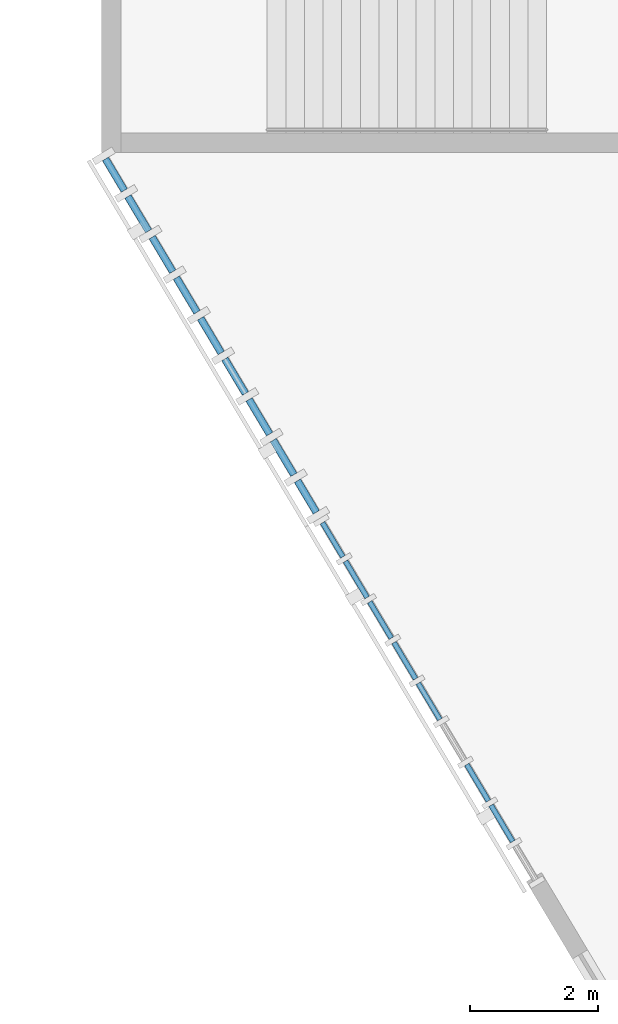
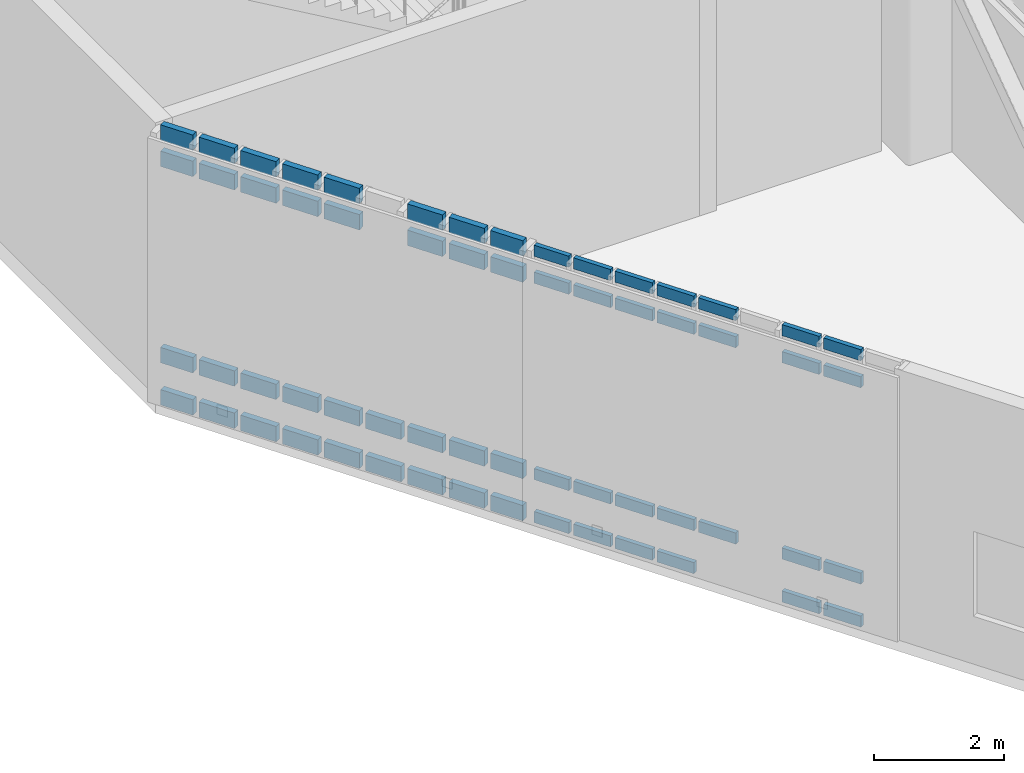
# One storey, part 49 of 135: 61 members, 2 elements without a shape of their own.
"""IFC4 building model written with IfcOpenShell, lengths in metres."""

from ifc_helpers import new_model, si_unit, direction, frame, origin, origin_2d, place, context, subcontext, project, spatial, rectangle, extrude, material, material_profile, profile_set, type_object, element, aggregate, save


model = new_model("IFC4")

# Units and contexts
model_context = context("Model", 3, precision=1e-05, world=origin(), true_north=direction((0.0, 1.0)))
body_context = subcontext(model_context, "Body", "Model", "MODEL_VIEW")
ifc_project = project(units=[si_unit("LENGTHUNIT", "METRE"), si_unit("AREAUNIT", "SQUARE_METRE"), si_unit("VOLUMEUNIT", "CUBIC_METRE"), si_unit("PLANEANGLEUNIT", "RADIAN"), si_unit("MASSUNIT", "GRAM", prefix="KILO")], contexts=[model_context])

# Site, building, storey
site_placement = place(None, origin())
site = spatial("IfcSite", under=ifc_project, at=site_placement, CompositionType="ELEMENT")
building_placement = place(site_placement, origin())
building = spatial("IfcBuilding", under=site, at=building_placement, Name="Larkvane Passage Sports Hall", CompositionType="ELEMENT")
storey_placement = place(building_placement, frame((0.0, 0.0, 16.800048828125)))
storey = spatial("IfcBuildingStorey", under=building, at=storey_placement, Name="L03", CompositionType="ELEMENT", Elevation=16.800048828125)

# Curtain wall, members
ifc_material_1 = material(Name="Thermally broken aluminium and low-E glazing", Category="aluminium")
curtain_wall_type_1 = type_object("IfcCurtainWallType", Name="CW-CLINIC", PredefinedType="USERDEFINED", material=ifc_material_1)
curtain_wall_1_placement = place(storey_placement, origin())
curtain_wall_1 = element("IfcCurtainWall", 1, at=curtain_wall_1_placement, inside=storey, type_object=curtain_wall_type_1, Name="Curtain wall CW5-L03-119", ObjectType="UNITISED CURTAIN WALL", PredefinedType="USERDEFINED")
ifc_material_2 = material(Name="Anodised aluminium 6063-T6", Category="aluminium")
ifc_material_profile_1 = material_profile(ifc_material_2, rectangle(XDim=0.110107421875, YDim=0.2900390625, at=origin_2d()), Name="ALU-TRN-110x290")
ifc_profile_set_1 = profile_set([ifc_material_profile_1], Name="Anodised aluminium 6063-T6")
member_type_1 = type_object("IfcMemberType", Name="CW-TRN-110x290", PredefinedType="USERDEFINED", material=ifc_profile_set_1)
member_1_placement = place(storey_placement, frame((121.34375, 17.194580078125, 0.054931640625), z_axis=(-0.512482926834, 0.85869741452, 0.0), x_axis=(-0.85869741452, -0.512482926834, 0.0)))
member_1 = element("IfcMember", 2, at=member_1_placement, type_object=member_type_1, Name="CW-05 transom 1.1", ObjectType="TRANSOM", PredefinedType="USERDEFINED", context=body_context, shape_type="SweptSolid", body=[
    extrude(rectangle(XDim=0.110107421875, YDim=0.2900390625, at=origin_2d()), origin(), (0.0, 0.0, 1.0), 0.5712890625),
])
member_2_placement = place(storey_placement, frame((121.34375, 17.194580078125, 0.849853515625), z_axis=(-0.512482926834, 0.85869741452, 0.0), x_axis=(-0.85869741452, -0.512482926834, 0.0)))
member_2 = element("IfcMember", 3, at=member_2_placement, type_object=member_type_1, Name="CW-05 transom 1.2", ObjectType="TRANSOM", PredefinedType="USERDEFINED", context=body_context, shape_type="SweptSolid", body=[
    extrude(rectangle(XDim=0.110107421875, YDim=0.2900390625, at=origin_2d()), origin(), (0.0, 0.0, 1.0), 0.5712890625),
])
member_3_placement = place(storey_placement, frame((121.34375, 17.194580078125, 4.550048828125), z_axis=(-0.512482926834, 0.85869741452, 0.0), x_axis=(-0.85869741452, -0.512482926834, 0.0)))
member_3 = element("IfcMember", 4, at=member_3_placement, type_object=member_type_1, Name="CW-05 transom 1.3", ObjectType="TRANSOM", PredefinedType="USERDEFINED", context=body_context, shape_type="SweptSolid", body=[
    extrude(rectangle(XDim=0.110107421875, YDim=0.2900390625, at=origin_2d()), origin(), (0.0, 0.0, 1.0), 0.5712890625),
])
member_4_placement = place(storey_placement, frame((121.34375, 17.194580078125, 5.044921875), z_axis=(-0.512482926834, 0.85869741452, 0.0), x_axis=(-0.85869741452, -0.512482926834, 0.0)))
member_4 = element("IfcMember", 5, at=member_4_placement, type_object=member_type_1, Name="CW-05 transom 1.4", ObjectType="TRANSOM", PredefinedType="USERDEFINED", context=body_context, shape_type="SweptSolid", body=[
    extrude(rectangle(XDim=0.110107421875, YDim=0.2900390625, at=origin_2d()), origin(), (0.0, 0.0, 1.0), 0.5712890625),
])
member_5_placement = place(storey_placement, frame((120.99462890625, 17.779541015625, 0.054931640625), z_axis=(-0.512142019069, 0.858900781409, 0.0), x_axis=(-0.858900781409, -0.512142019069, 0.0)))
member_5 = element("IfcMember", 6, at=member_5_placement, type_object=member_type_1, Name="CW-05 transom 2.1", ObjectType="TRANSOM", PredefinedType="USERDEFINED", context=body_context, shape_type="SweptSolid", body=[
    extrude(rectangle(XDim=0.110107421875, YDim=0.2900390625, at=origin_2d()), origin(), (0.0, 0.0, 1.0), 0.6259765625),
])
member_6_placement = place(storey_placement, frame((120.99462890625, 17.779541015625, 0.849853515625), z_axis=(-0.512142019069, 0.858900781409, 0.0), x_axis=(-0.858900781409, -0.512142019069, 0.0)))
member_6 = element("IfcMember", 7, at=member_6_placement, type_object=member_type_1, Name="CW-05 transom 2.2", ObjectType="TRANSOM", PredefinedType="USERDEFINED", context=body_context, shape_type="SweptSolid", body=[
    extrude(rectangle(XDim=0.110107421875, YDim=0.2900390625, at=origin_2d()), origin(), (0.0, 0.0, 1.0), 0.6259765625),
])
member_7_placement = place(storey_placement, frame((120.99462890625, 17.779541015625, 4.550048828125), z_axis=(-0.512142019069, 0.858900781409, 0.0), x_axis=(-0.858900781409, -0.512142019069, 0.0)))
member_7 = element("IfcMember", 8, at=member_7_placement, type_object=member_type_1, Name="CW-05 transom 2.3", ObjectType="TRANSOM", PredefinedType="USERDEFINED", context=body_context, shape_type="SweptSolid", body=[
    extrude(rectangle(XDim=0.110107421875, YDim=0.2900390625, at=origin_2d()), origin(), (0.0, 0.0, 1.0), 0.6259765625),
])
member_8_placement = place(storey_placement, frame((120.99462890625, 17.779541015625, 5.044921875), z_axis=(-0.512142019069, 0.858900781409, 0.0), x_axis=(-0.858900781409, -0.512142019069, 0.0)))
member_8 = element("IfcMember", 9, at=member_8_placement, type_object=member_type_1, Name="CW-05 transom 2.4", ObjectType="TRANSOM", PredefinedType="USERDEFINED", context=body_context, shape_type="SweptSolid", body=[
    extrude(rectangle(XDim=0.110107421875, YDim=0.2900390625, at=origin_2d()), origin(), (0.0, 0.0, 1.0), 0.6259765625),
])
member_9_placement = place(storey_placement, frame((120.61767578125, 18.41162109375, 0.054931640625), z_axis=(-0.512258122867, 0.858831540849, 0.0), x_axis=(-0.858831540849, -0.512258122867, 0.0)))
member_9 = element("IfcMember", 10, at=member_9_placement, type_object=member_type_1, Name="CW-05 transom 3.1", ObjectType="TRANSOM", PredefinedType="USERDEFINED", context=body_context, shape_type="SweptSolid", body=[
    extrude(rectangle(XDim=0.110107421875, YDim=0.2900390625, at=origin_2d()), origin(), (0.0, 0.0, 1.0), 0.626220703125),
])
member_10_placement = place(storey_placement, frame((120.61767578125, 18.41162109375, 0.849853515625), z_axis=(-0.512258122867, 0.858831540849, 0.0), x_axis=(-0.858831540849, -0.512258122867, 0.0)))
member_10 = element("IfcMember", 11, at=member_10_placement, type_object=member_type_1, Name="CW-05 transom 3.2", ObjectType="TRANSOM", PredefinedType="USERDEFINED", context=body_context, shape_type="SweptSolid", body=[
    extrude(rectangle(XDim=0.110107421875, YDim=0.2900390625, at=origin_2d()), origin(), (0.0, 0.0, 1.0), 0.626220703125),
])
member_11_placement = place(storey_placement, frame((120.61767578125, 18.41162109375, 4.550048828125), z_axis=(-0.512258122867, 0.858831540849, 0.0), x_axis=(-0.858831540849, -0.512258122867, 0.0)))
member_11 = element("IfcMember", 12, at=member_11_placement, type_object=member_type_1, Name="CW-05 transom 3.3", ObjectType="TRANSOM", PredefinedType="USERDEFINED", context=body_context, shape_type="SweptSolid", body=[
    extrude(rectangle(XDim=0.110107421875, YDim=0.2900390625, at=origin_2d()), origin(), (0.0, 0.0, 1.0), 0.626220703125),
])
member_12_placement = place(storey_placement, frame((120.61767578125, 18.41162109375, 5.044921875), z_axis=(-0.512258122867, 0.858831540849, 0.0), x_axis=(-0.858831540849, -0.512258122867, 0.0)))
member_12 = element("IfcMember", 13, at=member_12_placement, type_object=member_type_1, Name="CW-05 transom 3.4", ObjectType="TRANSOM", PredefinedType="USERDEFINED", context=body_context, shape_type="SweptSolid", body=[
    extrude(rectangle(XDim=0.110107421875, YDim=0.2900390625, at=origin_2d()), origin(), (0.0, 0.0, 1.0), 0.626220703125),
])
member_13_placement = place(storey_placement, frame((120.240478515625, 19.0439453125, 0.054931640625), z_axis=(-0.512429680433, 0.858729190497, 0.0), x_axis=(-0.858729190497, -0.512429680433, 0.0)))
member_13 = element("IfcMember", 14, at=member_13_placement, type_object=member_type_1, Name="CW-05 transom 4.1", ObjectType="TRANSOM", PredefinedType="USERDEFINED", context=body_context, shape_type="SweptSolid", body=[
    extrude(rectangle(XDim=0.110107421875, YDim=0.2900390625, at=origin_2d()), origin(), (0.0, 0.0, 1.0), 0.6259765625),
])
member_14_placement = place(storey_placement, frame((120.240478515625, 19.0439453125, 0.849853515625), z_axis=(-0.512429680433, 0.858729190497, 0.0), x_axis=(-0.858729190497, -0.512429680433, 0.0)))
member_14 = element("IfcMember", 15, at=member_14_placement, type_object=member_type_1, Name="CW-05 transom 4.2", ObjectType="TRANSOM", PredefinedType="USERDEFINED", context=body_context, shape_type="SweptSolid", body=[
    extrude(rectangle(XDim=0.110107421875, YDim=0.2900390625, at=origin_2d()), origin(), (0.0, 0.0, 1.0), 0.6259765625),
])
member_15_placement = place(storey_placement, frame((119.86328125, 19.676025390625, 0.054931640625), z_axis=(-0.511970489315, 0.859003037289, 0.0), x_axis=(-0.859003037289, -0.511970489315, 0.0)))
member_15 = element("IfcMember", 16, at=member_15_placement, type_object=member_type_1, Name="CW-05 transom 5.1", ObjectType="TRANSOM", PredefinedType="USERDEFINED", context=body_context, shape_type="SweptSolid", body=[
    extrude(rectangle(XDim=0.110107421875, YDim=0.2900390625, at=origin_2d()), origin(), (0.0, 0.0, 1.0), 0.626220703125),
])
member_16_placement = place(storey_placement, frame((119.86328125, 19.676025390625, 0.849853515625), z_axis=(-0.511970489315, 0.859003037289, 0.0), x_axis=(-0.859003037289, -0.511970489315, 0.0)))
member_16 = element("IfcMember", 17, at=member_16_placement, type_object=member_type_1, Name="CW-05 transom 5.2", ObjectType="TRANSOM", PredefinedType="USERDEFINED", context=body_context, shape_type="SweptSolid", body=[
    extrude(rectangle(XDim=0.110107421875, YDim=0.2900390625, at=origin_2d()), origin(), (0.0, 0.0, 1.0), 0.626220703125),
])
member_17_placement = place(storey_placement, frame((119.86328125, 19.676025390625, 4.550048828125), z_axis=(-0.511970489315, 0.859003037289, 0.0), x_axis=(-0.859003037289, -0.511970489315, 0.0)))
member_17 = element("IfcMember", 18, at=member_17_placement, type_object=member_type_1, Name="CW-05 transom 5.3", ObjectType="TRANSOM", PredefinedType="USERDEFINED", context=body_context, shape_type="SweptSolid", body=[
    extrude(rectangle(XDim=0.110107421875, YDim=0.2900390625, at=origin_2d()), origin(), (0.0, 0.0, 1.0), 0.626220703125),
])
member_18_placement = place(storey_placement, frame((119.86328125, 19.676025390625, 5.044921875), z_axis=(-0.511970489315, 0.859003037289, 0.0), x_axis=(-0.859003037289, -0.511970489315, 0.0)))
member_18 = element("IfcMember", 19, at=member_18_placement, type_object=member_type_1, Name="CW-05 transom 5.4", ObjectType="TRANSOM", PredefinedType="USERDEFINED", context=body_context, shape_type="SweptSolid", body=[
    extrude(rectangle(XDim=0.110107421875, YDim=0.2900390625, at=origin_2d()), origin(), (0.0, 0.0, 1.0), 0.626220703125),
])
member_19_placement = place(storey_placement, frame((119.486328125, 20.308349609375, 0.054931640625), z_axis=(-0.512258122867, 0.858831540849, 0.0), x_axis=(-0.858831540849, -0.512258122867, 0.0)))
member_19 = element("IfcMember", 20, at=member_19_placement, type_object=member_type_1, Name="CW-05 transom 6.1", ObjectType="TRANSOM", PredefinedType="USERDEFINED", context=body_context, shape_type="SweptSolid", body=[
    extrude(rectangle(XDim=0.110107421875, YDim=0.2900390625, at=origin_2d()), origin(), (0.0, 0.0, 1.0), 0.626220703125),
])
member_20_placement = place(storey_placement, frame((119.486328125, 20.308349609375, 0.849853515625), z_axis=(-0.512258122867, 0.858831540849, 0.0), x_axis=(-0.858831540849, -0.512258122867, 0.0)))
member_20 = element("IfcMember", 21, at=member_20_placement, type_object=member_type_1, Name="CW-05 transom 6.2", ObjectType="TRANSOM", PredefinedType="USERDEFINED", context=body_context, shape_type="SweptSolid", body=[
    extrude(rectangle(XDim=0.110107421875, YDim=0.2900390625, at=origin_2d()), origin(), (0.0, 0.0, 1.0), 0.626220703125),
])
member_21_placement = place(storey_placement, frame((119.486328125, 20.308349609375, 4.550048828125), z_axis=(-0.512258122867, 0.858831540849, 0.0), x_axis=(-0.858831540849, -0.512258122867, 0.0)))
member_21 = element("IfcMember", 22, at=member_21_placement, type_object=member_type_1, Name="CW-05 transom 6.3", ObjectType="TRANSOM", PredefinedType="USERDEFINED", context=body_context, shape_type="SweptSolid", body=[
    extrude(rectangle(XDim=0.110107421875, YDim=0.2900390625, at=origin_2d()), origin(), (0.0, 0.0, 1.0), 0.626220703125),
])
member_22_placement = place(storey_placement, frame((119.486328125, 20.308349609375, 5.044921875), z_axis=(-0.512258122867, 0.858831540849, 0.0), x_axis=(-0.858831540849, -0.512258122867, 0.0)))
member_22 = element("IfcMember", 23, at=member_22_placement, type_object=member_type_1, Name="CW-05 transom 6.4", ObjectType="TRANSOM", PredefinedType="USERDEFINED", context=body_context, shape_type="SweptSolid", body=[
    extrude(rectangle(XDim=0.110107421875, YDim=0.2900390625, at=origin_2d()), origin(), (0.0, 0.0, 1.0), 0.626220703125),
])
member_23_placement = place(storey_placement, frame((119.109130859375, 20.940673828125, 0.054931640625), z_axis=(-0.512429680433, 0.858729190497, 0.0), x_axis=(-0.858729190497, -0.512429680433, 0.0)))
member_23 = element("IfcMember", 24, at=member_23_placement, type_object=member_type_1, Name="CW-05 transom 7.1", ObjectType="TRANSOM", PredefinedType="USERDEFINED", context=body_context, shape_type="SweptSolid", body=[
    extrude(rectangle(XDim=0.110107421875, YDim=0.2900390625, at=origin_2d()), origin(), (0.0, 0.0, 1.0), 0.6259765625),
])
member_24_placement = place(storey_placement, frame((119.109130859375, 20.940673828125, 0.849853515625), z_axis=(-0.512429680433, 0.858729190497, 0.0), x_axis=(-0.858729190497, -0.512429680433, 0.0)))
member_24 = element("IfcMember", 25, at=member_24_placement, type_object=member_type_1, Name="CW-05 transom 7.2", ObjectType="TRANSOM", PredefinedType="USERDEFINED", context=body_context, shape_type="SweptSolid", body=[
    extrude(rectangle(XDim=0.110107421875, YDim=0.2900390625, at=origin_2d()), origin(), (0.0, 0.0, 1.0), 0.6259765625),
])
member_25_placement = place(storey_placement, frame((119.109130859375, 20.940673828125, 4.550048828125), z_axis=(-0.512429680433, 0.858729190497, 0.0), x_axis=(-0.858729190497, -0.512429680433, 0.0)))
member_25 = element("IfcMember", 26, at=member_25_placement, type_object=member_type_1, Name="CW-05 transom 7.3", ObjectType="TRANSOM", PredefinedType="USERDEFINED", context=body_context, shape_type="SweptSolid", body=[
    extrude(rectangle(XDim=0.110107421875, YDim=0.2900390625, at=origin_2d()), origin(), (0.0, 0.0, 1.0), 0.6259765625),
])
member_26_placement = place(storey_placement, frame((119.109130859375, 20.940673828125, 5.044921875), z_axis=(-0.512429680433, 0.858729190497, 0.0), x_axis=(-0.858729190497, -0.512429680433, 0.0)))
member_26 = element("IfcMember", 27, at=member_26_placement, type_object=member_type_1, Name="CW-05 transom 7.4", ObjectType="TRANSOM", PredefinedType="USERDEFINED", context=body_context, shape_type="SweptSolid", body=[
    extrude(rectangle(XDim=0.110107421875, YDim=0.2900390625, at=origin_2d()), origin(), (0.0, 0.0, 1.0), 0.6259765625),
])
member_27_placement = place(storey_placement, frame((118.73193359375, 21.57275390625, 0.054931640625), z_axis=(-0.511970489315, 0.859003037289, 0.0), x_axis=(-0.859003037289, -0.511970489315, 0.0)))
member_27 = element("IfcMember", 28, at=member_27_placement, type_object=member_type_1, Name="CW-05 transom 8.1", ObjectType="TRANSOM", PredefinedType="USERDEFINED", context=body_context, shape_type="SweptSolid", body=[
    extrude(rectangle(XDim=0.110107421875, YDim=0.2900390625, at=origin_2d()), origin(), (0.0, 0.0, 1.0), 0.626220703125),
])
member_28_placement = place(storey_placement, frame((118.73193359375, 21.57275390625, 0.849853515625), z_axis=(-0.511970489315, 0.859003037289, 0.0), x_axis=(-0.859003037289, -0.511970489315, 0.0)))
member_28 = element("IfcMember", 29, at=member_28_placement, type_object=member_type_1, Name="CW-05 transom 8.2", ObjectType="TRANSOM", PredefinedType="USERDEFINED", context=body_context, shape_type="SweptSolid", body=[
    extrude(rectangle(XDim=0.110107421875, YDim=0.2900390625, at=origin_2d()), origin(), (0.0, 0.0, 1.0), 0.626220703125),
])
member_29_placement = place(storey_placement, frame((118.73193359375, 21.57275390625, 4.550048828125), z_axis=(-0.511970489315, 0.859003037289, 0.0), x_axis=(-0.859003037289, -0.511970489315, 0.0)))
member_29 = element("IfcMember", 30, at=member_29_placement, type_object=member_type_1, Name="CW-05 transom 8.3", ObjectType="TRANSOM", PredefinedType="USERDEFINED", context=body_context, shape_type="SweptSolid", body=[
    extrude(rectangle(XDim=0.110107421875, YDim=0.2900390625, at=origin_2d()), origin(), (0.0, 0.0, 1.0), 0.626220703125),
])
member_30_placement = place(storey_placement, frame((118.73193359375, 21.57275390625, 5.044921875), z_axis=(-0.511970489315, 0.859003037289, 0.0), x_axis=(-0.859003037289, -0.511970489315, 0.0)))
member_30 = element("IfcMember", 31, at=member_30_placement, type_object=member_type_1, Name="CW-05 transom 8.4", ObjectType="TRANSOM", PredefinedType="USERDEFINED", context=body_context, shape_type="SweptSolid", body=[
    extrude(rectangle(XDim=0.110107421875, YDim=0.2900390625, at=origin_2d()), origin(), (0.0, 0.0, 1.0), 0.626220703125),
])
member_31_placement = place(storey_placement, frame((118.35498046875, 22.205078125, 0.054931640625), z_axis=(-0.512482926834, 0.85869741452, 0.0), x_axis=(-0.85869741452, -0.512482926834, 0.0)))
member_31 = element("IfcMember", 32, at=member_31_placement, type_object=member_type_1, Name="CW-05 transom 9.1", ObjectType="TRANSOM", PredefinedType="USERDEFINED", context=body_context, shape_type="SweptSolid", body=[
    extrude(rectangle(XDim=0.110107421875, YDim=0.2900390625, at=origin_2d()), origin(), (0.0, 0.0, 1.0), 0.5712890625),
])
member_32_placement = place(storey_placement, frame((118.35498046875, 22.205078125, 0.849853515625), z_axis=(-0.512482926834, 0.85869741452, 0.0), x_axis=(-0.85869741452, -0.512482926834, 0.0)))
member_32 = element("IfcMember", 33, at=member_32_placement, type_object=member_type_1, Name="CW-05 transom 9.2", ObjectType="TRANSOM", PredefinedType="USERDEFINED", context=body_context, shape_type="SweptSolid", body=[
    extrude(rectangle(XDim=0.110107421875, YDim=0.2900390625, at=origin_2d()), origin(), (0.0, 0.0, 1.0), 0.5712890625),
])
member_33_placement = place(storey_placement, frame((118.35498046875, 22.205078125, 4.550048828125), z_axis=(-0.512482926834, 0.85869741452, 0.0), x_axis=(-0.85869741452, -0.512482926834, 0.0)))
member_33 = element("IfcMember", 34, at=member_33_placement, type_object=member_type_1, Name="CW-05 transom 9.3", ObjectType="TRANSOM", PredefinedType="USERDEFINED", context=body_context, shape_type="SweptSolid", body=[
    extrude(rectangle(XDim=0.110107421875, YDim=0.2900390625, at=origin_2d()), origin(), (0.0, 0.0, 1.0), 0.5712890625),
])
member_34_placement = place(storey_placement, frame((118.35498046875, 22.205078125, 5.044921875), z_axis=(-0.512482926834, 0.85869741452, 0.0), x_axis=(-0.85869741452, -0.512482926834, 0.0)))
member_34 = element("IfcMember", 35, at=member_34_placement, type_object=member_type_1, Name="CW-05 transom 9.4", ObjectType="TRANSOM", PredefinedType="USERDEFINED", context=body_context, shape_type="SweptSolid", body=[
    extrude(rectangle(XDim=0.110107421875, YDim=0.2900390625, at=origin_2d()), origin(), (0.0, 0.0, 1.0), 0.5712890625),
])
aggregate(curtain_wall_1, [member_1, member_2, member_3, member_4, member_5, member_6, member_7, member_8, member_9, member_10, member_11, member_12, member_13, member_14, member_15, member_16, member_17, member_18, member_19, member_20, member_21, member_22, member_23, member_24, member_25, member_26, member_27, member_28, member_29, member_30, member_31, member_32, member_33, member_34])

curtain_wall_type_2 = type_object("IfcCurtainWallType", Name="CW-STICK-FOYER", PredefinedType="USERDEFINED", material=ifc_material_1)
curtain_wall_2_placement = place(storey_placement, origin())
curtain_wall_2 = element("IfcCurtainWall", 36, at=curtain_wall_2_placement, inside=storey, type_object=curtain_wall_type_2, Name="Curtain wall CW5-L03-118", ObjectType="STICK CURTAIN WALL", PredefinedType="USERDEFINED")
ifc_material_profile_2 = material_profile(ifc_material_2, rectangle(XDim=0.080078125, YDim=0.2099609375, at=origin_2d()), Name="ALU-TRN-80x210")
ifc_profile_set_2 = profile_set([ifc_material_profile_2], Name="Anodised aluminium 6063-T6")
member_type_2 = type_object("IfcMemberType", Name="CW-TRN-80x210", PredefinedType="USERDEFINED", material=ifc_profile_set_2)
member_35_placement = place(storey_placement, frame((124.401611328125, 12.067626953125, 0.0400390625), z_axis=(-0.512090886102, 0.858931268712, 0.0), x_axis=(-0.858931268712, -0.512090886102, 0.0)))
member_35 = element("IfcMember", 37, at=member_35_placement, type_object=member_type_2, Name="CW-03 transom 2.1", ObjectType="TRANSOM", PredefinedType="USERDEFINED", context=body_context, shape_type="SweptSolid", body=[
    extrude(rectangle(XDim=0.080078125, YDim=0.2099609375, at=origin_2d()), origin(), (0.0, 0.0, 1.0), 0.657470703125),
])
member_36_placement = place(storey_placement, frame((124.401611328125, 12.067626953125, 0.849853515625), z_axis=(-0.512090886102, 0.858931268712, 0.0), x_axis=(-0.858931268712, -0.512090886102, 0.0)))
member_36 = element("IfcMember", 38, at=member_36_placement, type_object=member_type_2, Name="CW-03 transom 2.2", ObjectType="TRANSOM", PredefinedType="USERDEFINED", context=body_context, shape_type="SweptSolid", body=[
    extrude(rectangle(XDim=0.080078125, YDim=0.2099609375, at=origin_2d()), origin(), (0.0, 0.0, 1.0), 0.657470703125),
])
member_37_placement = place(storey_placement, frame((124.401611328125, 12.067626953125, 4.550048828125), z_axis=(-0.512090886102, 0.858931268712, 0.0), x_axis=(-0.858931268712, -0.512090886102, 0.0)))
member_37 = element("IfcMember", 39, at=member_37_placement, type_object=member_type_2, Name="CW-03 transom 2.3", ObjectType="TRANSOM", PredefinedType="USERDEFINED", context=body_context, shape_type="SweptSolid", body=[
    extrude(rectangle(XDim=0.080078125, YDim=0.2099609375, at=origin_2d()), origin(), (0.0, 0.0, 1.0), 0.657470703125),
])
member_38_placement = place(storey_placement, frame((124.401611328125, 12.067626953125, 5.06005859375), z_axis=(-0.512090886102, 0.858931268712, 0.0), x_axis=(-0.858931268712, -0.512090886102, 0.0)))
member_38 = element("IfcMember", 40, at=member_38_placement, type_object=member_type_2, Name="CW-03 transom 2.4", ObjectType="TRANSOM", PredefinedType="USERDEFINED", context=body_context, shape_type="SweptSolid", body=[
    extrude(rectangle(XDim=0.080078125, YDim=0.2099609375, at=origin_2d()), origin(), (0.0, 0.0, 1.0), 0.657470703125),
])
member_39_placement = place(storey_placement, frame((124.02392578125, 12.700927734375, 0.0400390625), z_axis=(-0.512090886102, 0.858931268712, 0.0), x_axis=(-0.858931268712, -0.512090886102, 0.0)))
member_39 = element("IfcMember", 41, at=member_39_placement, type_object=member_type_2, Name="CW-03 transom 3.1", ObjectType="TRANSOM", PredefinedType="USERDEFINED", context=body_context, shape_type="SweptSolid", body=[
    extrude(rectangle(XDim=0.080078125, YDim=0.2099609375, at=origin_2d()), origin(), (0.0, 0.0, 1.0), 0.657470703125),
])
member_40_placement = place(storey_placement, frame((124.02392578125, 12.700927734375, 0.849853515625), z_axis=(-0.512090886102, 0.858931268712, 0.0), x_axis=(-0.858931268712, -0.512090886102, 0.0)))
member_40 = element("IfcMember", 42, at=member_40_placement, type_object=member_type_2, Name="CW-03 transom 3.2", ObjectType="TRANSOM", PredefinedType="USERDEFINED", context=body_context, shape_type="SweptSolid", body=[
    extrude(rectangle(XDim=0.080078125, YDim=0.2099609375, at=origin_2d()), origin(), (0.0, 0.0, 1.0), 0.657470703125),
])
member_41_placement = place(storey_placement, frame((124.02392578125, 12.700927734375, 4.550048828125), z_axis=(-0.512090886102, 0.858931268712, 0.0), x_axis=(-0.858931268712, -0.512090886102, 0.0)))
member_41 = element("IfcMember", 43, at=member_41_placement, type_object=member_type_2, Name="CW-03 transom 3.3", ObjectType="TRANSOM", PredefinedType="USERDEFINED", context=body_context, shape_type="SweptSolid", body=[
    extrude(rectangle(XDim=0.080078125, YDim=0.2099609375, at=origin_2d()), origin(), (0.0, 0.0, 1.0), 0.657470703125),
])
member_42_placement = place(storey_placement, frame((124.02392578125, 12.700927734375, 5.06005859375), z_axis=(-0.512090886102, 0.858931268712, 0.0), x_axis=(-0.858931268712, -0.512090886102, 0.0)))
member_42 = element("IfcMember", 44, at=member_42_placement, type_object=member_type_2, Name="CW-03 transom 3.4", ObjectType="TRANSOM", PredefinedType="USERDEFINED", context=body_context, shape_type="SweptSolid", body=[
    extrude(rectangle(XDim=0.080078125, YDim=0.2099609375, at=origin_2d()), origin(), (0.0, 0.0, 1.0), 0.657470703125),
])
member_43_placement = place(storey_placement, frame((123.268310546875, 13.9677734375, 0.849853515625), z_axis=(-0.512254267328, 0.858833840509, 0.0), x_axis=(-0.858833840509, -0.512254267328, 0.0)))
member_43 = element("IfcMember", 45, at=member_43_placement, type_object=member_type_2, Name="CW-03 transom 5.2", ObjectType="TRANSOM", PredefinedType="USERDEFINED", context=body_context, shape_type="SweptSolid", body=[
    extrude(rectangle(XDim=0.080078125, YDim=0.2099609375, at=origin_2d()), origin(), (0.0, 0.0, 1.0), 0.6572265625),
])
member_44_placement = place(storey_placement, frame((123.268310546875, 13.9677734375, 4.550048828125), z_axis=(-0.512254267328, 0.858833840509, 0.0), x_axis=(-0.858833840509, -0.512254267328, 0.0)))
member_44 = element("IfcMember", 46, at=member_44_placement, type_object=member_type_2, Name="CW-03 transom 5.3", ObjectType="TRANSOM", PredefinedType="USERDEFINED", context=body_context, shape_type="SweptSolid", body=[
    extrude(rectangle(XDim=0.080078125, YDim=0.2099609375, at=origin_2d()), origin(), (0.0, 0.0, 1.0), 0.6572265625),
])
member_45_placement = place(storey_placement, frame((123.268310546875, 13.9677734375, 5.06005859375), z_axis=(-0.512254267328, 0.858833840509, 0.0), x_axis=(-0.858833840509, -0.512254267328, 0.0)))
member_45 = element("IfcMember", 47, at=member_45_placement, type_object=member_type_2, Name="CW-03 transom 5.4", ObjectType="TRANSOM", PredefinedType="USERDEFINED", context=body_context, shape_type="SweptSolid", body=[
    extrude(rectangle(XDim=0.080078125, YDim=0.2099609375, at=origin_2d()), origin(), (0.0, 0.0, 1.0), 0.6572265625),
])
member_46_placement = place(storey_placement, frame((122.890625, 14.60107421875, 0.0400390625), z_axis=(-0.512528182222, 0.858670403839, 0.0), x_axis=(-0.858670403839, -0.512528182222, 0.0)))
member_46 = element("IfcMember", 48, at=member_46_placement, type_object=member_type_2, Name="CW-03 transom 6.1", ObjectType="TRANSOM", PredefinedType="USERDEFINED", context=body_context, shape_type="SweptSolid", body=[
    extrude(rectangle(XDim=0.080078125, YDim=0.2099609375, at=origin_2d()), origin(), (0.0, 0.0, 1.0), 0.657470703125),
])
member_47_placement = place(storey_placement, frame((122.890625, 14.60107421875, 0.849853515625), z_axis=(-0.512528182222, 0.858670403839, 0.0), x_axis=(-0.858670403839, -0.512528182222, 0.0)))
member_47 = element("IfcMember", 49, at=member_47_placement, type_object=member_type_2, Name="CW-03 transom 6.2", ObjectType="TRANSOM", PredefinedType="USERDEFINED", context=body_context, shape_type="SweptSolid", body=[
    extrude(rectangle(XDim=0.080078125, YDim=0.2099609375, at=origin_2d()), origin(), (0.0, 0.0, 1.0), 0.657470703125),
])
member_48_placement = place(storey_placement, frame((122.890625, 14.60107421875, 4.550048828125), z_axis=(-0.512528182222, 0.858670403839, 0.0), x_axis=(-0.858670403839, -0.512528182222, 0.0)))
member_48 = element("IfcMember", 50, at=member_48_placement, type_object=member_type_2, Name="CW-03 transom 6.3", ObjectType="TRANSOM", PredefinedType="USERDEFINED", context=body_context, shape_type="SweptSolid", body=[
    extrude(rectangle(XDim=0.080078125, YDim=0.2099609375, at=origin_2d()), origin(), (0.0, 0.0, 1.0), 0.657470703125),
])
member_49_placement = place(storey_placement, frame((122.890625, 14.60107421875, 5.06005859375), z_axis=(-0.512528182222, 0.858670403839, 0.0), x_axis=(-0.858670403839, -0.512528182222, 0.0)))
member_49 = element("IfcMember", 51, at=member_49_placement, type_object=member_type_2, Name="CW-03 transom 6.4", ObjectType="TRANSOM", PredefinedType="USERDEFINED", context=body_context, shape_type="SweptSolid", body=[
    extrude(rectangle(XDim=0.080078125, YDim=0.2099609375, at=origin_2d()), origin(), (0.0, 0.0, 1.0), 0.657470703125),
])
member_50_placement = place(storey_placement, frame((122.512939453125, 15.234375, 0.0400390625), z_axis=(-0.512364775813, 0.858767917721, 0.0), x_axis=(-0.858767917721, -0.512364775813, 0.0)))
member_50 = element("IfcMember", 52, at=member_50_placement, type_object=member_type_2, Name="CW-03 transom 7.1", ObjectType="TRANSOM", PredefinedType="USERDEFINED", context=body_context, shape_type="SweptSolid", body=[
    extrude(rectangle(XDim=0.080078125, YDim=0.2099609375, at=origin_2d()), origin(), (0.0, 0.0, 1.0), 0.657470703125),
])
member_51_placement = place(storey_placement, frame((122.512939453125, 15.234375, 0.849853515625), z_axis=(-0.512364775813, 0.858767917721, 0.0), x_axis=(-0.858767917721, -0.512364775813, 0.0)))
member_51 = element("IfcMember", 53, at=member_51_placement, type_object=member_type_2, Name="CW-03 transom 7.2", ObjectType="TRANSOM", PredefinedType="USERDEFINED", context=body_context, shape_type="SweptSolid", body=[
    extrude(rectangle(XDim=0.080078125, YDim=0.2099609375, at=origin_2d()), origin(), (0.0, 0.0, 1.0), 0.657470703125),
])
member_52_placement = place(storey_placement, frame((122.512939453125, 15.234375, 4.550048828125), z_axis=(-0.512364775813, 0.858767917721, 0.0), x_axis=(-0.858767917721, -0.512364775813, 0.0)))
member_52 = element("IfcMember", 54, at=member_52_placement, type_object=member_type_2, Name="CW-03 transom 7.3", ObjectType="TRANSOM", PredefinedType="USERDEFINED", context=body_context, shape_type="SweptSolid", body=[
    extrude(rectangle(XDim=0.080078125, YDim=0.2099609375, at=origin_2d()), origin(), (0.0, 0.0, 1.0), 0.657470703125),
])
member_53_placement = place(storey_placement, frame((122.512939453125, 15.234375, 5.06005859375), z_axis=(-0.512364775813, 0.858767917721, 0.0), x_axis=(-0.858767917721, -0.512364775813, 0.0)))
member_53 = element("IfcMember", 55, at=member_53_placement, type_object=member_type_2, Name="CW-03 transom 7.4", ObjectType="TRANSOM", PredefinedType="USERDEFINED", context=body_context, shape_type="SweptSolid", body=[
    extrude(rectangle(XDim=0.080078125, YDim=0.2099609375, at=origin_2d()), origin(), (0.0, 0.0, 1.0), 0.657470703125),
])
member_54_placement = place(storey_placement, frame((122.135009765625, 15.86767578125, 0.0400390625), z_axis=(-0.512090886102, 0.858931268712, 0.0), x_axis=(-0.858931268712, -0.512090886102, 0.0)))
member_54 = element("IfcMember", 56, at=member_54_placement, type_object=member_type_2, Name="CW-03 transom 8.1", ObjectType="TRANSOM", PredefinedType="USERDEFINED", context=body_context, shape_type="SweptSolid", body=[
    extrude(rectangle(XDim=0.080078125, YDim=0.2099609375, at=origin_2d()), origin(), (0.0, 0.0, 1.0), 0.657470703125),
])
member_55_placement = place(storey_placement, frame((122.135009765625, 15.86767578125, 0.849853515625), z_axis=(-0.512090886102, 0.858931268712, 0.0), x_axis=(-0.858931268712, -0.512090886102, 0.0)))
member_55 = element("IfcMember", 57, at=member_55_placement, type_object=member_type_2, Name="CW-03 transom 8.2", ObjectType="TRANSOM", PredefinedType="USERDEFINED", context=body_context, shape_type="SweptSolid", body=[
    extrude(rectangle(XDim=0.080078125, YDim=0.2099609375, at=origin_2d()), origin(), (0.0, 0.0, 1.0), 0.657470703125),
])
member_56_placement = place(storey_placement, frame((122.135009765625, 15.86767578125, 4.550048828125), z_axis=(-0.512090886102, 0.858931268712, 0.0), x_axis=(-0.858931268712, -0.512090886102, 0.0)))
member_56 = element("IfcMember", 58, at=member_56_placement, type_object=member_type_2, Name="CW-03 transom 8.3", ObjectType="TRANSOM", PredefinedType="USERDEFINED", context=body_context, shape_type="SweptSolid", body=[
    extrude(rectangle(XDim=0.080078125, YDim=0.2099609375, at=origin_2d()), origin(), (0.0, 0.0, 1.0), 0.657470703125),
])
member_57_placement = place(storey_placement, frame((122.135009765625, 15.86767578125, 5.06005859375), z_axis=(-0.512090886102, 0.858931268712, 0.0), x_axis=(-0.858931268712, -0.512090886102, 0.0)))
member_57 = element("IfcMember", 59, at=member_57_placement, type_object=member_type_2, Name="CW-03 transom 8.4", ObjectType="TRANSOM", PredefinedType="USERDEFINED", context=body_context, shape_type="SweptSolid", body=[
    extrude(rectangle(XDim=0.080078125, YDim=0.2099609375, at=origin_2d()), origin(), (0.0, 0.0, 1.0), 0.657470703125),
])
member_58_placement = place(storey_placement, frame((121.75732421875, 16.5009765625, 0.0400390625), z_axis=(-0.512401080946, 0.85874625603, 0.0), x_axis=(-0.85874625603, -0.512401080946, 0.0)))
member_58 = element("IfcMember", 60, at=member_58_placement, type_object=member_type_2, Name="CW-03 transom 9.1", ObjectType="TRANSOM", PredefinedType="USERDEFINED", context=body_context, shape_type="SweptSolid", body=[
    extrude(rectangle(XDim=0.080078125, YDim=0.2099609375, at=origin_2d()), origin(), (0.0, 0.0, 1.0), 0.617431640625),
])
member_59_placement = place(storey_placement, frame((121.75732421875, 16.5009765625, 0.849853515625), z_axis=(-0.512401080946, 0.85874625603, 0.0), x_axis=(-0.85874625603, -0.512401080946, 0.0)))
member_59 = element("IfcMember", 61, at=member_59_placement, type_object=member_type_2, Name="CW-03 transom 9.2", ObjectType="TRANSOM", PredefinedType="USERDEFINED", context=body_context, shape_type="SweptSolid", body=[
    extrude(rectangle(XDim=0.080078125, YDim=0.2099609375, at=origin_2d()), origin(), (0.0, 0.0, 1.0), 0.617431640625),
])
member_60_placement = place(storey_placement, frame((121.75732421875, 16.5009765625, 4.550048828125), z_axis=(-0.512401080946, 0.85874625603, 0.0), x_axis=(-0.85874625603, -0.512401080946, 0.0)))
member_60 = element("IfcMember", 62, at=member_60_placement, type_object=member_type_2, Name="CW-03 transom 9.3", ObjectType="TRANSOM", PredefinedType="USERDEFINED", context=body_context, shape_type="SweptSolid", body=[
    extrude(rectangle(XDim=0.080078125, YDim=0.2099609375, at=origin_2d()), origin(), (0.0, 0.0, 1.0), 0.617431640625),
])
member_61_placement = place(storey_placement, frame((121.75732421875, 16.5009765625, 5.06005859375), z_axis=(-0.512401080946, 0.85874625603, 0.0), x_axis=(-0.85874625603, -0.512401080946, 0.0)))
member_61 = element("IfcMember", 63, at=member_61_placement, type_object=member_type_2, Name="CW-03 transom 9.4", ObjectType="TRANSOM", PredefinedType="USERDEFINED", context=body_context, shape_type="SweptSolid", body=[
    extrude(rectangle(XDim=0.080078125, YDim=0.2099609375, at=origin_2d()), origin(), (0.0, 0.0, 1.0), 0.617431640625),
])
aggregate(curtain_wall_2, [member_35, member_36, member_37, member_38, member_39, member_40, member_41, member_42, member_43, member_44, member_45, member_46, member_47, member_48, member_49, member_50, member_51, member_52, member_53, member_54, member_55, member_56, member_57, member_58, member_59, member_60, member_61])

save(model, "model.ifc")
